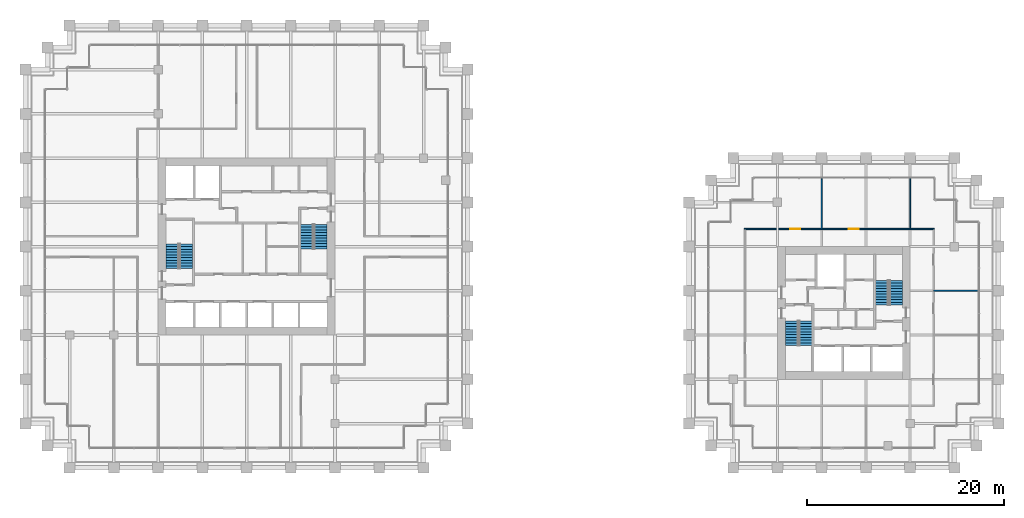
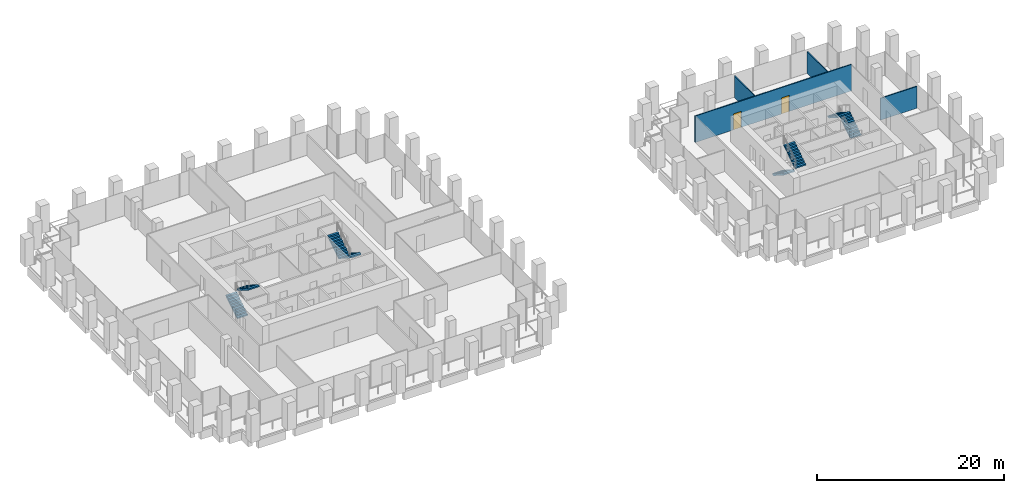
# One storey, part 53 of 54: 8 stair flights, 4 walls, 2 doors, 2 openings, 4 elements without a shape of their own.
"""IFC4 building model written with IfcOpenShell, lengths in metres."""

from ifc_helpers import new_model, si_unit, direction, frame, frame_2d, origin, place, context, subcontext, project, spatial, polyline, rectangle, outline, extrude, material, layer, layer_set, type_object, element, fill, aggregate, save


model = new_model("IFC4")

# Units and contexts
model_context = context("Model", 3, precision=1e-05, world=origin(), true_north=direction((0.0, 1.0)))
body_context = subcontext(model_context, "Body", "Model", "MODEL_VIEW")
ifc_project = project(units=[si_unit("LENGTHUNIT", "METRE"), si_unit("AREAUNIT", "SQUARE_METRE"), si_unit("VOLUMEUNIT", "CUBIC_METRE"), si_unit("PLANEANGLEUNIT", "RADIAN"), si_unit("MASSUNIT", "GRAM", prefix="KILO")], contexts=[model_context])

# Site, building, storey
site_placement = place(None, origin())
site = spatial("IfcSite", under=ifc_project, at=site_placement, CompositionType="ELEMENT")
building_placement = place(site_placement, origin())
building = spatial("IfcBuilding", under=site, at=building_placement, Name="Altepetl Exchange Towers", CompositionType="ELEMENT")
storey_placement = place(building_placement, frame((0.0, 0.0, 58.199951171875)))
storey = spatial("IfcBuildingStorey", under=building, at=storey_placement, Name="L13", CompositionType="ELEMENT", Elevation=58.199951171875)

# Wall
ifc_material_1 = material(Name="Gypsum board on steel studs", Category="steel")
ifc_layer = layer(ifc_material_1, 0.125)
ifc_layer_set = layer_set([ifc_layer], Name="Gypsum board on steel studs")
wall_type = type_object("IfcWallType", Name="Partition 125 gypsum board on steel studs", PredefinedType="PARTITIONING", material=ifc_layer_set)
wall_1_placement = place(storey_placement, frame((119.39990234375, 45.0, 0.0)))
element("IfcWall", 1, at=wall_1_placement, inside=storey, type_object=wall_type, Name="wall:B:L13:P04", PredefinedType="PARTITIONING", context=body_context, shape_type="SweptSolid", body=[
    extrude(rectangle(XDim=4.5, YDim=0.125, at=frame_2d((2.25, 0.0))), origin(), (0.0, 0.0, 1.0), 2.85107421875),
])

# Wall, openings, doors
wall_2_placement = place(storey_placement, frame((100.137451171875, 51.300048828125, 0.0)))
wall_2 = element("IfcWall", 2, at=wall_2_placement, inside=storey, type_object=wall_type, Name="wall:B:L13:P05", PredefinedType="PARTITIONING", context=body_context, shape_type="SweptSolid", body=[
    extrude(rectangle(XDim=19.324951171875, YDim=0.125, at=frame_2d((9.66259765625, 0.0))), origin(), (0.0, 0.0, 1.0), 3.449951171875),
])
opening_1_placement = place(wall_2_placement, frame((10.619384765625, 0.0, 0.0)))
opening_1 = element("IfcOpeningElement", 3, at=opening_1_placement, cuts=wall_2, Name="Opening L13.B05", PredefinedType="OPENING", context=body_context, shape_type="SweptSolid", body=[
    extrude(rectangle(XDim=1.0, YDim=2.10009765625, at=frame_2d((0.5, 1.050048828125))), frame((0.0, 0.072509765625, 0.0), z_axis=(0.0, -1.0, 0.0), x_axis=(1.0, 0.0, 0.0)), (0.0, 0.0, 1.0), 0.14501953125),
])
opening_2_placement = place(wall_2_placement, frame((4.6904296875, 0.0, 0.0)))
opening_2 = element("IfcOpeningElement", 4, at=opening_2_placement, cuts=wall_2, Name="Opening L13.B06", PredefinedType="OPENING", context=body_context, shape_type="SweptSolid", body=[
    extrude(rectangle(XDim=1.0, YDim=2.10009765625, at=frame_2d((0.5, 1.050048828125))), frame((0.0, 0.072509765625, 0.0), z_axis=(0.0, -1.0, 0.0), x_axis=(1.0, 0.0, 0.0)), (0.0, 0.0, 1.0), 0.14501953125),
])
ifc_material_2 = material(Name="Steel and timber fire door", Category="steel")
door_type = type_object("IfcDoorType", Name="Fire door 1000 x 2100 single leaf", OperationType="SINGLE_SWING_LEFT", PredefinedType="DOOR", material=ifc_material_2)
door_1_placement = place(opening_1_placement, origin())
door_1 = element("IfcDoor", 5, at=door_1_placement, inside=storey, type_object=door_type, Name="door:B:L13:05", OperationType="SINGLE_SWING_LEFT", OverallHeight=2.10009765625, OverallWidth=1.0, PredefinedType="DOOR", context=body_context, shape_type="SweptSolid", body=[
    extrude(rectangle(XDim=1.0, YDim=2.10009765625, at=frame_2d((0.5, 1.050048828125))), frame((0.0, 0.02490234375, 0.0), z_axis=(0.0, -1.0, 0.0), x_axis=(1.0, 0.0, 0.0)), (0.0, 0.0, 1.0), 0.050048828125),
])
fill(opening_1, door_1)
door_2_placement = place(opening_2_placement, frame((1.0, 0.0, 0.0), x_axis=(-1.0, 0.0, 0.0)))
door_2 = element("IfcDoor", 6, at=door_2_placement, inside=storey, type_object=door_type, Name="door:B:L13:06", OperationType="SINGLE_SWING_RIGHT", OverallHeight=2.10009765625, OverallWidth=1.0, PredefinedType="DOOR", context=body_context, shape_type="SweptSolid", body=[
    extrude(rectangle(XDim=1.0, YDim=2.10009765625, at=frame_2d((0.5, 1.050048828125))), frame((0.0, 0.02490234375, 0.0), z_axis=(0.0, -1.0, 0.0), x_axis=(1.0, 0.0, 0.0)), (0.0, 0.0, 1.0), 0.050048828125),
])
fill(opening_2, door_2)

# Walls
for number, where, z_axis, x_axis, name in (
    (7, (108.0, 51.300048828125, 0.0), (0.0, 0.0, 1.0), (0.0, 1.0, 0.0), "wall:B:L13:P07"),
    (8, (117.0, 51.300048828125, 0.0), (0.0, 0.0, 1.0), (0.0, 1.0, 0.0), "wall:B:L13:P09"),
):
    element("IfcWall", number, at=place(storey_placement, frame(where, z_axis=z_axis, x_axis=x_axis)), inside=storey, type_object=wall_type, Name=name, PredefinedType="PARTITIONING", context=body_context, shape_type="SweptSolid", body=[
        extrude(rectangle(XDim=5.099853515625, YDim=0.125, at=frame_2d((2.5498046875, 0.0))), origin(), (0.0, 0.0, 1.0), 2.85107421875),
    ])

# Stair, stair flights
ifc_material_3 = material(Name="Concrete C40/50", Category="concrete")
stair_type = type_object("IfcStairType", Name="Exit stair 1300 flights dogleg", PredefinedType="HALF_TURN_STAIR", material=ifc_material_3)
stair_1_placement = place(storey_placement, origin())
stair_1 = element("IfcStair", 9, at=stair_1_placement, inside=storey, type_object=stair_type, Name="Exit stair 1", PredefinedType="HALF_TURN_STAIR")
stair_flight_type = type_object("IfcStairFlightType", Name="Stair flight 1300 wide", PredefinedType="STRAIGHT", material=ifc_material_3)
stair_flight_1_placement = place(storey_placement, frame((41.949951171875, 47.25, 0.0), z_axis=(0.0, 0.0, 1.0), x_axis=(0.0, 1.0, 0.0)))
stair_flight_1 = element("IfcStairFlight", 10, at=stair_flight_1_placement, type_object=stair_flight_type, Name="ST-A1c flight 1", NumberOfRisers=10, NumberOfTreads=9, PredefinedType="STRAIGHT", RiserHeight=0.18, TreadLength=0.28, context=body_context, shape_type="SweptSolid", body=[
    extrude(outline(polyline([(0.0, 0.0), (0.0, 0.179931640625), (0.280029296875, 0.179931640625), (0.280029296875, 0.360107421875), (0.56005859375, 0.360107421875), (0.56005859375, 0.5400390625), (0.840087890625, 0.5400390625), (0.840087890625, 0.719970703125), (1.1201171875, 0.719970703125), (1.1201171875, 0.89990234375), (1.39990234375, 0.89990234375), (1.39990234375, 1.080078125), (1.679931640625, 1.080078125), (1.679931640625, 1.260009765625), (1.9599609375, 1.260009765625), (1.9599609375, 1.43994140625), (2.239990234375, 1.43994140625), (2.239990234375, 1.6201171875), (2.52001953125, 1.6201171875), (2.52001953125, 1.800048828125), (2.52001953125, 1.44189453125), (0.277099609375, 0.0), (0.0, 0.0)])), frame((0.0, 0.64990234375, 0.0), z_axis=(0.0, -1.0, 0.0), x_axis=(1.0, 0.0, 0.0)), (0.0, 0.0, 1.0), 1.300048828125),
])
stair_flight_2_placement = place(storey_placement, frame((43.35009765625, 49.77001953125, 1.800048828125), z_axis=(0.0, 0.0, 1.0), x_axis=(0.0, -1.0, 0.0)))
stair_flight_2 = element("IfcStairFlight", 11, at=stair_flight_2_placement, type_object=stair_flight_type, Name="ST-A1c flight 2", NumberOfRisers=10, NumberOfTreads=9, PredefinedType="STRAIGHT", RiserHeight=0.18, TreadLength=0.28, context=body_context, shape_type="SweptSolid", body=[
    extrude(outline(polyline([(0.0, 0.0), (0.0, 0.179931640625), (0.280029296875, 0.179931640625), (0.280029296875, 0.360107421875), (0.56005859375, 0.360107421875), (0.56005859375, 0.5400390625), (0.840087890625, 0.5400390625), (0.840087890625, 0.719970703125), (1.1201171875, 0.719970703125), (1.1201171875, 0.89990234375), (1.39990234375, 0.89990234375), (1.39990234375, 1.080078125), (1.679931640625, 1.080078125), (1.679931640625, 1.260009765625), (1.9599609375, 1.260009765625), (1.9599609375, 1.43994140625), (2.239990234375, 1.43994140625), (2.239990234375, 1.6201171875), (2.52001953125, 1.6201171875), (2.52001953125, 1.800048828125), (2.52001953125, 1.44189453125), (0.277099609375, 0.0), (0.0, 0.0)])), frame((0.0, 0.64990234375, 0.0), z_axis=(0.0, -1.0, 0.0), x_axis=(1.0, 0.0, 0.0)), (0.0, 0.0, 1.0), 1.300048828125),
])
aggregate(stair_1, [stair_flight_1, stair_flight_2])

stair_2_placement = place(storey_placement, origin())
stair_2 = element("IfcStair", 12, at=stair_2_placement, inside=storey, type_object=stair_type, Name="Exit stair 2", PredefinedType="HALF_TURN_STAIR")
stair_flight_3_placement = place(storey_placement, frame((57.050048828125, 51.75, 0.0), z_axis=(0.0, 0.0, 1.0), x_axis=(0.0, -1.0, 0.0)))
stair_flight_3 = element("IfcStairFlight", 13, at=stair_flight_3_placement, type_object=stair_flight_type, Name="ST-A2c flight 1", NumberOfRisers=10, NumberOfTreads=9, PredefinedType="STRAIGHT", RiserHeight=0.18, TreadLength=0.28, context=body_context, shape_type="SweptSolid", body=[
    extrude(outline(polyline([(0.0, 0.0), (0.0, 0.179931640625), (0.280029296875, 0.179931640625), (0.280029296875, 0.360107421875), (0.56005859375, 0.360107421875), (0.56005859375, 0.5400390625), (0.840087890625, 0.5400390625), (0.840087890625, 0.719970703125), (1.1201171875, 0.719970703125), (1.1201171875, 0.89990234375), (1.39990234375, 0.89990234375), (1.39990234375, 1.080078125), (1.679931640625, 1.080078125), (1.679931640625, 1.260009765625), (1.9599609375, 1.260009765625), (1.9599609375, 1.43994140625), (2.239990234375, 1.43994140625), (2.239990234375, 1.6201171875), (2.52001953125, 1.6201171875), (2.52001953125, 1.800048828125), (2.52001953125, 1.44189453125), (0.277099609375, 0.0), (0.0, 0.0)])), frame((0.0, 0.64990234375, 0.0), z_axis=(0.0, -1.0, 0.0), x_axis=(1.0, 0.0, 0.0)), (0.0, 0.0, 1.0), 1.300048828125),
])
stair_flight_4_placement = place(storey_placement, frame((55.64990234375, 49.22998046875, 1.800048828125), z_axis=(0.0, 0.0, 1.0), x_axis=(0.0, 1.0, 0.0)))
stair_flight_4 = element("IfcStairFlight", 14, at=stair_flight_4_placement, type_object=stair_flight_type, Name="ST-A2c flight 2", NumberOfRisers=10, NumberOfTreads=9, PredefinedType="STRAIGHT", RiserHeight=0.18, TreadLength=0.28, context=body_context, shape_type="SweptSolid", body=[
    extrude(outline(polyline([(0.0, 0.0), (0.0, 0.179931640625), (0.280029296875, 0.179931640625), (0.280029296875, 0.360107421875), (0.56005859375, 0.360107421875), (0.56005859375, 0.5400390625), (0.840087890625, 0.5400390625), (0.840087890625, 0.719970703125), (1.1201171875, 0.719970703125), (1.1201171875, 0.89990234375), (1.39990234375, 0.89990234375), (1.39990234375, 1.080078125), (1.679931640625, 1.080078125), (1.679931640625, 1.260009765625), (1.9599609375, 1.260009765625), (1.9599609375, 1.43994140625), (2.239990234375, 1.43994140625), (2.239990234375, 1.6201171875), (2.52001953125, 1.6201171875), (2.52001953125, 1.800048828125), (2.52001953125, 1.44189453125), (0.277099609375, 0.0), (0.0, 0.0)])), frame((0.0, 0.64990234375, 0.0), z_axis=(0.0, -1.0, 0.0), x_axis=(1.0, 0.0, 0.0)), (0.0, 0.0, 1.0), 1.300048828125),
])
aggregate(stair_2, [stair_flight_3, stair_flight_4])

stair_3_placement = place(storey_placement, origin())
stair_3 = element("IfcStair", 15, at=stair_3_placement, inside=storey, type_object=stair_type, Name="Exit stair 1", PredefinedType="HALF_TURN_STAIR")
stair_flight_5_placement = place(storey_placement, frame((104.949951171875, 41.949951171875, 0.0), z_axis=(0.0, 0.0, 1.0), x_axis=(0.0, -1.0, 0.0)))
stair_flight_5 = element("IfcStairFlight", 16, at=stair_flight_5_placement, type_object=stair_flight_type, Name="ST-B1c flight 1", NumberOfRisers=10, NumberOfTreads=9, PredefinedType="STRAIGHT", RiserHeight=0.18, TreadLength=0.28, context=body_context, shape_type="SweptSolid", body=[
    extrude(outline(polyline([(0.0, 0.0), (0.0, 0.179931640625), (0.280029296875, 0.179931640625), (0.280029296875, 0.360107421875), (0.56005859375, 0.360107421875), (0.56005859375, 0.5400390625), (0.840087890625, 0.5400390625), (0.840087890625, 0.719970703125), (1.1201171875, 0.719970703125), (1.1201171875, 0.89990234375), (1.39990234375, 0.89990234375), (1.39990234375, 1.080078125), (1.679931640625, 1.080078125), (1.679931640625, 1.260009765625), (1.9599609375, 1.260009765625), (1.9599609375, 1.43994140625), (2.239990234375, 1.43994140625), (2.239990234375, 1.6201171875), (2.52001953125, 1.6201171875), (2.52001953125, 1.800048828125), (2.52001953125, 1.44189453125), (0.277099609375, 0.0), (0.0, 0.0)])), frame((0.0, 0.64990234375, 0.0), z_axis=(0.0, -1.0, 0.0), x_axis=(1.0, 0.0, 0.0)), (0.0, 0.0, 1.0), 1.300048828125),
])
stair_flight_6_placement = place(storey_placement, frame((106.35009765625, 39.429931640625, 1.800048828125), z_axis=(0.0, 0.0, 1.0), x_axis=(0.0, 1.0, 0.0)))
stair_flight_6 = element("IfcStairFlight", 17, at=stair_flight_6_placement, type_object=stair_flight_type, Name="ST-B1c flight 2", NumberOfRisers=10, NumberOfTreads=9, PredefinedType="STRAIGHT", RiserHeight=0.18, TreadLength=0.28, context=body_context, shape_type="SweptSolid", body=[
    extrude(outline(polyline([(0.0, 0.0), (0.0, 0.179931640625), (0.280029296875, 0.179931640625), (0.280029296875, 0.360107421875), (0.56005859375, 0.360107421875), (0.56005859375, 0.5400390625), (0.840087890625, 0.5400390625), (0.840087890625, 0.719970703125), (1.1201171875, 0.719970703125), (1.1201171875, 0.89990234375), (1.39990234375, 0.89990234375), (1.39990234375, 1.080078125), (1.679931640625, 1.080078125), (1.679931640625, 1.260009765625), (1.9599609375, 1.260009765625), (1.9599609375, 1.43994140625), (2.239990234375, 1.43994140625), (2.239990234375, 1.6201171875), (2.52001953125, 1.6201171875), (2.52001953125, 1.800048828125), (2.52001953125, 1.44189453125), (0.277099609375, 0.0), (0.0, 0.0)])), frame((0.0, 0.64990234375, 0.0), z_axis=(0.0, -1.0, 0.0), x_axis=(1.0, 0.0, 0.0)), (0.0, 0.0, 1.0), 1.300048828125),
])
aggregate(stair_3, [stair_flight_5, stair_flight_6])

stair_4_placement = place(storey_placement, origin())
stair_4 = element("IfcStair", 18, at=stair_4_placement, inside=storey, type_object=stair_type, Name="Exit stair 2", PredefinedType="HALF_TURN_STAIR")
stair_flight_7_placement = place(storey_placement, frame((115.550048828125, 43.550048828125, 0.0), z_axis=(0.0, 0.0, 1.0), x_axis=(0.0, 1.0, 0.0)))
stair_flight_7 = element("IfcStairFlight", 19, at=stair_flight_7_placement, type_object=stair_flight_type, Name="ST-B2c flight 1", NumberOfRisers=10, NumberOfTreads=9, PredefinedType="STRAIGHT", RiserHeight=0.18, TreadLength=0.28, context=body_context, shape_type="SweptSolid", body=[
    extrude(outline(polyline([(0.0, 0.0), (0.0, 0.179931640625), (0.280029296875, 0.179931640625), (0.280029296875, 0.360107421875), (0.56005859375, 0.360107421875), (0.56005859375, 0.5400390625), (0.840087890625, 0.5400390625), (0.840087890625, 0.719970703125), (1.1201171875, 0.719970703125), (1.1201171875, 0.89990234375), (1.39990234375, 0.89990234375), (1.39990234375, 1.080078125), (1.679931640625, 1.080078125), (1.679931640625, 1.260009765625), (1.9599609375, 1.260009765625), (1.9599609375, 1.43994140625), (2.239990234375, 1.43994140625), (2.239990234375, 1.6201171875), (2.52001953125, 1.6201171875), (2.52001953125, 1.800048828125), (2.52001953125, 1.44189453125), (0.277099609375, 0.0), (0.0, 0.0)])), frame((0.0, 0.64990234375, 0.0), z_axis=(0.0, -1.0, 0.0), x_axis=(1.0, 0.0, 0.0)), (0.0, 0.0, 1.0), 1.300048828125),
])
stair_flight_8_placement = place(storey_placement, frame((114.14990234375, 46.070068359375, 1.800048828125), z_axis=(0.0, 0.0, 1.0), x_axis=(0.0, -1.0, 0.0)))
stair_flight_8 = element("IfcStairFlight", 20, at=stair_flight_8_placement, type_object=stair_flight_type, Name="ST-B2c flight 2", NumberOfRisers=10, NumberOfTreads=9, PredefinedType="STRAIGHT", RiserHeight=0.18, TreadLength=0.28, context=body_context, shape_type="SweptSolid", body=[
    extrude(outline(polyline([(0.0, 0.0), (0.0, 0.179931640625), (0.280029296875, 0.179931640625), (0.280029296875, 0.360107421875), (0.56005859375, 0.360107421875), (0.56005859375, 0.5400390625), (0.840087890625, 0.5400390625), (0.840087890625, 0.719970703125), (1.1201171875, 0.719970703125), (1.1201171875, 0.89990234375), (1.39990234375, 0.89990234375), (1.39990234375, 1.080078125), (1.679931640625, 1.080078125), (1.679931640625, 1.260009765625), (1.9599609375, 1.260009765625), (1.9599609375, 1.43994140625), (2.239990234375, 1.43994140625), (2.239990234375, 1.6201171875), (2.52001953125, 1.6201171875), (2.52001953125, 1.800048828125), (2.52001953125, 1.44189453125), (0.277099609375, 0.0), (0.0, 0.0)])), frame((0.0, 0.64990234375, 0.0), z_axis=(0.0, -1.0, 0.0), x_axis=(1.0, 0.0, 0.0)), (0.0, 0.0, 1.0), 1.300048828125),
])
aggregate(stair_4, [stair_flight_7, stair_flight_8])

save(model, "model.ifc")
